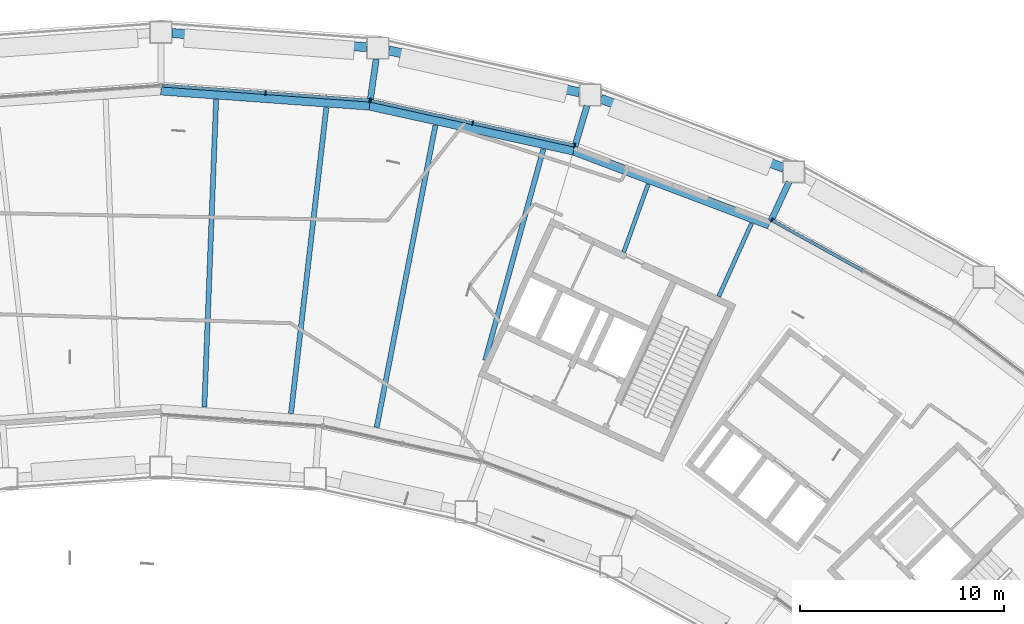
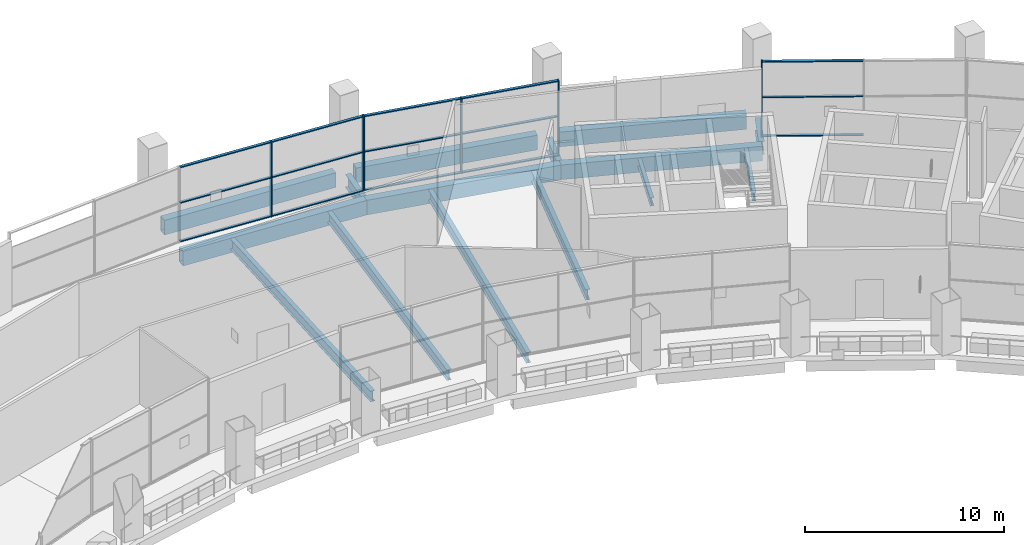
# One storey, part 11 of 28: 21 members, 15 beams, 3 elements without a shape of their own.
"""IFC4 building model written with IfcOpenShell, lengths in metres."""

from ifc_helpers import new_model, si_unit, direction, frame, origin, origin_2d, place, context, subcontext, project, spatial, rectangle, hollow_rectangle, i_section, extrude, material, layer, layer_set, material_profile, profile_set, type_object, element, aggregate, save


model = new_model("IFC4")

# Units and contexts
model_context = context("Model", 3, precision=1e-05, world=origin(), true_north=direction((0.0, 1.0)))
body_context = subcontext(model_context, "Body", "Model", "MODEL_VIEW")
ifc_project = project(units=[si_unit("LENGTHUNIT", "METRE"), si_unit("AREAUNIT", "SQUARE_METRE"), si_unit("VOLUMEUNIT", "CUBIC_METRE"), si_unit("PLANEANGLEUNIT", "RADIAN"), si_unit("MASSUNIT", "GRAM", prefix="KILO")], contexts=[model_context])

# Site, building, storey
site_placement = place(None, origin())
site = spatial("IfcSite", under=ifc_project, at=site_placement, CompositionType="ELEMENT")
building_placement = place(site_placement, origin())
building = spatial("IfcBuilding", under=site, at=building_placement, Name="Tuul Gate Civic Tower", CompositionType="ELEMENT")
storey_placement = place(building_placement, frame((0.0, 0.0, 128.699951171875)))
storey = spatial("IfcBuildingStorey", under=building, at=storey_placement, Name="Sky garden level 1", CompositionType="ELEMENT", Elevation=128.699951171875)

# Curtain wall, member
ifc_material_1 = material(Name="Aluminium", Category="aluminium")
ifc_layer = layer(ifc_material_1, 0.199951171875)
ifc_layer_set = layer_set([ifc_layer], Name="Aluminium")
curtain_wall_type = type_object("IfcCurtainWallType", Name="Curtain wall CW3", PredefinedType="NOTDEFINED", material=ifc_layer_set)
curtain_wall_1_placement = place(storey_placement, origin())
curtain_wall_1 = element("IfcCurtainWall", 1, at=curtain_wall_1_placement, inside=storey, type_object=curtain_wall_type, Name="Curtain wall CW3", PredefinedType="NOTDEFINED")
ifc_material_2 = material(Name="Aluminium", Category="aluminium")
ifc_material_profile_1 = material_profile(ifc_material_2, rectangle(XDim=0.219970703125, YDim=0.06005859375, at=origin_2d()), Name="CW3 mullion")
ifc_profile_set_1 = profile_set([ifc_material_profile_1], Name="Aluminium")
member_type_1 = type_object("IfcMemberType", Name="CW3 mullion", PredefinedType="MULLION", material=ifc_profile_set_1)
member_1_placement = place(storey_placement, frame((39.8232421875, 4.46044921875, 0.0), z_axis=(0.0, 0.0, 1.0), x_axis=(-0.484826682646, -0.874610249079, 0.0)))
member_1 = element("IfcMember", 2, at=member_1_placement, type_object=member_type_1, Name="Mullion", PredefinedType="MULLION", context=body_context, shape_type="SweptSolid", body=[
    extrude(rectangle(XDim=0.219970703125, YDim=0.06005859375, at=origin_2d()), origin(), (0.0, 0.0, 1.0), 4.60009765625),
])

# Curtain wall, members
curtain_wall_2_placement = place(storey_placement, origin())
curtain_wall_2 = element("IfcCurtainWall", 3, at=curtain_wall_2_placement, inside=storey, type_object=curtain_wall_type, Name="Curtain wall CW3", PredefinedType="NOTDEFINED")
member_2_placement = place(storey_placement, frame((30.1328125, 8.12451171875, 0.0), z_axis=(0.0, 0.0, 1.0), x_axis=(-0.215234025277, -0.976562498954, 0.0)))
member_2 = element("IfcMember", 4, at=member_2_placement, type_object=member_type_1, Name="Mullion", PredefinedType="MULLION", context=body_context, shape_type="SweptSolid", body=[
    extrude(rectangle(XDim=0.219970703125, YDim=0.06005859375, at=origin_2d()), origin(), (0.0, 0.0, 1.0), 4.60009765625),
])
member_3_placement = place(storey_placement, frame((25.132568359375, 9.2265625, 0.0), z_axis=(0.0, 0.0, 1.0), x_axis=(-0.215234025277, -0.976562498954, 0.0)))
member_3 = element("IfcMember", 5, at=member_3_placement, type_object=member_type_1, Name="Mullion", PredefinedType="MULLION", context=body_context, shape_type="SweptSolid", body=[
    extrude(rectangle(XDim=0.219970703125, YDim=0.06005859375, at=origin_2d()), origin(), (0.0, 0.0, 1.0), 4.60009765625),
])
member_4_placement = place(storey_placement, frame((20.13232421875, 10.32861328125, 0.0), z_axis=(0.0, 0.0, 1.0), x_axis=(-0.215234025277, -0.976562498954, 0.0)))
member_4 = element("IfcMember", 6, at=member_4_placement, type_object=member_type_1, Name="Mullion", PredefinedType="MULLION", context=body_context, shape_type="SweptSolid", body=[
    extrude(rectangle(XDim=0.219970703125, YDim=0.06005859375, at=origin_2d()), origin(), (0.0, 0.0, 1.0), 4.60009765625),
])

curtain_wall_3_placement = place(storey_placement, origin())
curtain_wall_3 = element("IfcCurtainWall", 7, at=curtain_wall_3_placement, inside=storey, type_object=curtain_wall_type, Name="Curtain wall CW3", PredefinedType="NOTDEFINED")
member_5_placement = place(storey_placement, frame((20.072998046875, 10.337158203125, 0.0), z_axis=(0.0, 0.0, 1.0), x_axis=(-0.072323245822, -0.997381245118, 0.0)))
member_5 = element("IfcMember", 8, at=member_5_placement, type_object=member_type_1, Name="Mullion", PredefinedType="MULLION", context=body_context, shape_type="SweptSolid", body=[
    extrude(rectangle(XDim=0.219970703125, YDim=0.06005859375, at=origin_2d()), origin(), (0.0, 0.0, 1.0), 4.60009765625),
])
member_6_placement = place(storey_placement, frame((14.966064453125, 10.70751953125, 0.0), z_axis=(0.0, 0.0, 1.0), x_axis=(-0.072323245822, -0.997381245118, 0.0)))
member_6 = element("IfcMember", 9, at=member_6_placement, type_object=member_type_1, Name="Mullion", PredefinedType="MULLION", context=body_context, shape_type="SweptSolid", body=[
    extrude(rectangle(XDim=0.219970703125, YDim=0.06005859375, at=origin_2d()), origin(), (0.0, 0.0, 1.0), 4.60009765625),
])

# Member
ifc_material_3 = material(Name="Aluminium", Category="aluminium")
ifc_material_profile_2 = material_profile(ifc_material_3, rectangle(XDim=0.159912109375, YDim=0.06005859375, at=origin_2d()), Name="CW3 transom")
ifc_profile_set_2 = profile_set([ifc_material_profile_2], Name="Aluminium")
member_type_2 = type_object("IfcMemberType", Name="CW3 transom", PredefinedType="USERDEFINED", material=ifc_profile_set_2)
member_7_placement = place(storey_placement, frame((44.275146484375, 1.992431640625, 0.030029296875), z_axis=(-0.874609774473, 0.484827538817, 0.0), x_axis=(-0.484827538817, -0.874609774473, 0.0)))
member_7 = element("IfcMember", 10, at=member_7_placement, type_object=member_type_2, Name="Transom", ObjectType="TRANSOM", PredefinedType="USERDEFINED", context=body_context, shape_type="SweptSolid", body=[
    extrude(rectangle(XDim=0.159912109375, YDim=0.06005859375, at=origin_2d()), origin(), (0.0, 0.0, 1.0), 5.060302734375),
])

member_8_placement = place(storey_placement, frame((44.275146484375, 1.992431640625, 2.400146484375), z_axis=(-0.874609774473, 0.484827538817, 0.0), x_axis=(-0.484827538817, -0.874609774473, 0.0)))
member_8 = element("IfcMember", 11, at=member_8_placement, type_object=member_type_2, Name="Transom", ObjectType="TRANSOM", PredefinedType="USERDEFINED", context=body_context, shape_type="SweptSolid", body=[
    extrude(rectangle(XDim=0.159912109375, YDim=0.06005859375, at=origin_2d()), origin(), (0.0, 0.0, 1.0), 5.060302734375),
])

member_9_placement = place(storey_placement, frame((44.275146484375, 1.992431640625, 4.570068359375), z_axis=(-0.874609774473, 0.484827538817, 0.0), x_axis=(-0.484827538817, -0.874609774473, 0.0)))
member_9 = element("IfcMember", 12, at=member_9_placement, type_object=member_type_2, Name="Transom", ObjectType="TRANSOM", PredefinedType="USERDEFINED", context=body_context, shape_type="SweptSolid", body=[
    extrude(rectangle(XDim=0.159912109375, YDim=0.06005859375, at=origin_2d()), origin(), (0.0, 0.0, 1.0), 5.060302734375),
])

aggregate(curtain_wall_1, [member_1, member_7, member_8, member_9])

member_10_placement = place(storey_placement, frame((30.103515625, 8.130859375, 0.030029296875), z_axis=(-0.97656360589, 0.21522900281, 0.0), x_axis=(-0.21522900281, -0.97656360589, 0.0)))
member_10 = element("IfcMember", 13, at=member_10_placement, type_object=member_type_2, Name="Transom", ObjectType="TRANSOM", PredefinedType="USERDEFINED", context=body_context, shape_type="SweptSolid", body=[
    extrude(rectangle(XDim=0.159912109375, YDim=0.06005859375, at=origin_2d()), origin(), (0.0, 0.0, 1.0), 5.060302734375),
])

member_11_placement = place(storey_placement, frame((30.103515625, 8.130859375, 2.400146484375), z_axis=(-0.97656360589, 0.21522900281, 0.0), x_axis=(-0.21522900281, -0.97656360589, 0.0)))
member_11 = element("IfcMember", 14, at=member_11_placement, type_object=member_type_2, Name="Transom", ObjectType="TRANSOM", PredefinedType="USERDEFINED", context=body_context, shape_type="SweptSolid", body=[
    extrude(rectangle(XDim=0.159912109375, YDim=0.06005859375, at=origin_2d()), origin(), (0.0, 0.0, 1.0), 5.060302734375),
])

member_12_placement = place(storey_placement, frame((30.103515625, 8.130859375, 4.570068359375), z_axis=(-0.97656360589, 0.21522900281, 0.0), x_axis=(-0.21522900281, -0.97656360589, 0.0)))
member_12 = element("IfcMember", 15, at=member_12_placement, type_object=member_type_2, Name="Transom", ObjectType="TRANSOM", PredefinedType="USERDEFINED", context=body_context, shape_type="SweptSolid", body=[
    extrude(rectangle(XDim=0.159912109375, YDim=0.06005859375, at=origin_2d()), origin(), (0.0, 0.0, 1.0), 5.060302734375),
])

member_13_placement = place(storey_placement, frame((25.103271484375, 9.23291015625, 0.030029296875), z_axis=(-0.97656360589, 0.21522900281, 0.0), x_axis=(-0.21522900281, -0.97656360589, 0.0)))
member_13 = element("IfcMember", 16, at=member_13_placement, type_object=member_type_2, Name="Transom", ObjectType="TRANSOM", PredefinedType="USERDEFINED", context=body_context, shape_type="SweptSolid", body=[
    extrude(rectangle(XDim=0.159912109375, YDim=0.06005859375, at=origin_2d()), origin(), (0.0, 0.0, 1.0), 5.060302734375),
])

member_14_placement = place(storey_placement, frame((25.103271484375, 9.23291015625, 2.400146484375), z_axis=(-0.97656360589, 0.21522900281, 0.0), x_axis=(-0.21522900281, -0.97656360589, 0.0)))
member_14 = element("IfcMember", 17, at=member_14_placement, type_object=member_type_2, Name="Transom", ObjectType="TRANSOM", PredefinedType="USERDEFINED", context=body_context, shape_type="SweptSolid", body=[
    extrude(rectangle(XDim=0.159912109375, YDim=0.06005859375, at=origin_2d()), origin(), (0.0, 0.0, 1.0), 5.060302734375),
])

member_15_placement = place(storey_placement, frame((25.103271484375, 9.23291015625, 4.570068359375), z_axis=(-0.97656360589, 0.21522900281, 0.0), x_axis=(-0.21522900281, -0.97656360589, 0.0)))
member_15 = element("IfcMember", 18, at=member_15_placement, type_object=member_type_2, Name="Transom", ObjectType="TRANSOM", PredefinedType="USERDEFINED", context=body_context, shape_type="SweptSolid", body=[
    extrude(rectangle(XDim=0.159912109375, YDim=0.06005859375, at=origin_2d()), origin(), (0.0, 0.0, 1.0), 5.060302734375),
])

aggregate(curtain_wall_2, [member_2, member_3, member_4, member_10, member_11, member_12, member_13, member_14, member_15])

member_16_placement = place(storey_placement, frame((20.043212890625, 10.33935546875, 0.030029296875), z_axis=(-0.997381720655, 0.072316687591, 0.0), x_axis=(-0.072316687591, -0.997381720655, 0.0)))
member_16 = element("IfcMember", 19, at=member_16_placement, type_object=member_type_2, Name="Transom", ObjectType="TRANSOM", PredefinedType="USERDEFINED", context=body_context, shape_type="SweptSolid", body=[
    extrude(rectangle(XDim=0.159912109375, YDim=0.06005859375, at=origin_2d()), origin(), (0.0, 0.0, 1.0), 5.060546875),
])

member_17_placement = place(storey_placement, frame((20.043212890625, 10.33935546875, 2.400146484375), z_axis=(-0.997381720655, 0.072316687591, 0.0), x_axis=(-0.072316687591, -0.997381720655, 0.0)))
member_17 = element("IfcMember", 20, at=member_17_placement, type_object=member_type_2, Name="Transom", ObjectType="TRANSOM", PredefinedType="USERDEFINED", context=body_context, shape_type="SweptSolid", body=[
    extrude(rectangle(XDim=0.159912109375, YDim=0.06005859375, at=origin_2d()), origin(), (0.0, 0.0, 1.0), 5.060546875),
])

member_18_placement = place(storey_placement, frame((20.043212890625, 10.33935546875, 4.570068359375), z_axis=(-0.997381720655, 0.072316687591, 0.0), x_axis=(-0.072316687591, -0.997381720655, 0.0)))
member_18 = element("IfcMember", 21, at=member_18_placement, type_object=member_type_2, Name="Transom", ObjectType="TRANSOM", PredefinedType="USERDEFINED", context=body_context, shape_type="SweptSolid", body=[
    extrude(rectangle(XDim=0.159912109375, YDim=0.06005859375, at=origin_2d()), origin(), (0.0, 0.0, 1.0), 5.060546875),
])

member_19_placement = place(storey_placement, frame((14.93603515625, 10.709716796875, 0.030029296875), z_axis=(-0.997381468338, 0.072320167418, 0.0), x_axis=(-0.072320167418, -0.997381468338, 0.0)))
member_19 = element("IfcMember", 22, at=member_19_placement, type_object=member_type_2, Name="Transom", ObjectType="TRANSOM", PredefinedType="USERDEFINED", context=body_context, shape_type="SweptSolid", body=[
    extrude(rectangle(XDim=0.159912109375, YDim=0.06005859375, at=origin_2d()), origin(), (0.0, 0.0, 1.0), 5.060302734375),
])

member_20_placement = place(storey_placement, frame((14.93603515625, 10.709716796875, 2.400146484375), z_axis=(-0.997381468338, 0.072320167418, 0.0), x_axis=(-0.072320167418, -0.997381468338, 0.0)))
member_20 = element("IfcMember", 23, at=member_20_placement, type_object=member_type_2, Name="Transom", ObjectType="TRANSOM", PredefinedType="USERDEFINED", context=body_context, shape_type="SweptSolid", body=[
    extrude(rectangle(XDim=0.159912109375, YDim=0.06005859375, at=origin_2d()), origin(), (0.0, 0.0, 1.0), 5.060302734375),
])

member_21_placement = place(storey_placement, frame((14.93603515625, 10.709716796875, 4.570068359375), z_axis=(-0.997381468338, 0.072320167418, 0.0), x_axis=(-0.072320167418, -0.997381468338, 0.0)))
member_21 = element("IfcMember", 24, at=member_21_placement, type_object=member_type_2, Name="Transom", ObjectType="TRANSOM", PredefinedType="USERDEFINED", context=body_context, shape_type="SweptSolid", body=[
    extrude(rectangle(XDim=0.159912109375, YDim=0.06005859375, at=origin_2d()), origin(), (0.0, 0.0, 1.0), 5.060302734375),
])

aggregate(curtain_wall_3, [member_5, member_6, member_16, member_17, member_18, member_19, member_20, member_21])

# Beams
ifc_material_4 = material(Name="Steel S355", Category="steel")
ifc_material_profile_3 = material_profile(ifc_material_4, i_section(OverallWidth=0.199951171875, OverallDepth=0.5, WebThickness=0.010009765625, FlangeThickness=0.01611328125, at=origin_2d()), Name="PG500x200x10x16")
ifc_profile_set_3 = profile_set([ifc_material_profile_3], Name="Steel S355")
beam_type_1 = type_object("IfcBeamType", Name="STR-FLOOR BEAM-PG500x200x10x16", PredefinedType="BEAM", material=ifc_profile_set_3)
beam_1_placement = place(storey_placement, frame((37.208251953125, 0.7138671875, -0.550048828125), z_axis=(0.409906067977, 0.912127740744, 0.0), x_axis=(-0.912127740744, 0.409906067977, 0.0)))
element("IfcBeam", 25, at=beam_1_placement, inside=storey, type_object=beam_type_1, Name="Floor beam", PredefinedType="BEAM", context=body_context, shape_type="SweptSolid", body=[
    extrude(i_section(OverallWidth=0.199951171875, OverallDepth=0.5, WebThickness=0.010009765625, FlangeThickness=0.01611328125, at=origin_2d()), origin(), (0.0, 0.0, 1.0), 3.9404296875),
])
beam_2_placement = place(storey_placement, frame((32.544921875, 2.88818359375, -0.550048828125), z_axis=(0.338709726959, 0.940890918685, 0.0), x_axis=(-0.940890918685, 0.338709726959, 0.0)))
element("IfcBeam", 26, at=beam_2_placement, inside=storey, type_object=beam_type_1, Name="Floor beam", PredefinedType="BEAM", context=body_context, shape_type="SweptSolid", body=[
    extrude(i_section(OverallWidth=0.199951171875, OverallDepth=0.5, WebThickness=0.010009765625, FlangeThickness=0.01611328125, at=origin_2d()), origin(), (0.0, 0.0, 1.0), 3.5498046875),
])
ifc_material_5 = material(Name="Steel S355", Category="steel")
ifc_material_profile_4 = material_profile(ifc_material_5, i_section(OverallWidth=0.25, OverallDepth=0.64990234375, WebThickness=0.011962890625, FlangeThickness=0.02001953125, at=origin_2d()), Name="PG650x250x12x20")
ifc_profile_set_4 = profile_set([ifc_material_profile_4], Name="Steel S355")
beam_type_2 = type_object("IfcBeamType", Name="STR-FLOOR BEAM-PG650x250x12x20", PredefinedType="BEAM", material=ifc_profile_set_4)
beam_3_placement = place(storey_placement, frame((25.74560546875, -2.423095703125, -0.625), z_axis=(0.265541440924, 0.964099446713, 0.0), x_axis=(-0.964099446713, 0.265541440924, 0.0)))
element("IfcBeam", 27, at=beam_3_placement, inside=storey, type_object=beam_type_2, Name="Floor beam", PredefinedType="BEAM", context=body_context, shape_type="SweptSolid", body=[
    extrude(i_section(OverallWidth=0.25, OverallDepth=0.64990234375, WebThickness=0.011962890625, FlangeThickness=0.02001953125, at=origin_2d()), origin(), (0.0, 0.0, 1.0), 10.759765625),
])
beam_4_placement = place(storey_placement, frame((20.422607421875, -5.709228515625, -0.625), z_axis=(0.190794813394, 0.98162994004, 0.0), x_axis=(-0.98162994004, 0.190794813394, 0.0)))
element("IfcBeam", 28, at=beam_4_placement, inside=storey, type_object=beam_type_2, Name="Floor beam", PredefinedType="BEAM", context=body_context, shape_type="SweptSolid", body=[
    extrude(i_section(OverallWidth=0.25, OverallDepth=0.64990234375, WebThickness=0.011962890625, FlangeThickness=0.02001953125, at=origin_2d()), origin(), (0.0, 0.0, 1.0), 15.1044921875),
])
beam_5_placement = place(storey_placement, frame((16.214111328125, -5.023681640625, -0.625), z_axis=(0.114917794702, 0.993375004951, 0.0), x_axis=(-0.993375004951, 0.114917794702, 0.0)))
element("IfcBeam", 29, at=beam_5_placement, inside=storey, type_object=beam_type_2, Name="Floor beam", PredefinedType="BEAM", context=body_context, shape_type="SweptSolid", body=[
    extrude(i_section(OverallWidth=0.25, OverallDepth=0.64990234375, WebThickness=0.011962890625, FlangeThickness=0.02001953125, at=origin_2d()), origin(), (0.0, 0.0, 1.0), 15.113525390625),
])
beam_6_placement = place(storey_placement, frame((11.960693359375, -4.715576171875, -0.625), z_axis=(0.038394025162, 0.999262677594, 0.0), x_axis=(-0.999262677594, 0.038394025162, 0.0)))
element("IfcBeam", 30, at=beam_6_placement, inside=storey, type_object=beam_type_2, Name="Floor beam", PredefinedType="BEAM", context=body_context, shape_type="SweptSolid", body=[
    extrude(i_section(OverallWidth=0.25, OverallDepth=0.64990234375, WebThickness=0.011962890625, FlangeThickness=0.02001953125, at=origin_2d()), origin(), (0.0, 0.0, 1.0), 15.108642578125),
])
ifc_material_6 = material(Name="Steel S355", Category="steel")
ifc_material_profile_5 = material_profile(ifc_material_6, i_section(OverallWidth=0.300048828125, OverallDepth=0.800048828125, WebThickness=0.013916015625, FlangeThickness=0.02490234375, at=origin_2d()), Name="PG800x300x14x25")
ifc_profile_set_5 = profile_set([ifc_material_profile_5], Name="Steel S355")
beam_type_3 = type_object("IfcBeamType", Name="STR-FLOOR BEAM-PG800x300x14x25", PredefinedType="BEAM", material=ifc_profile_set_5)
beam_7_placement = place(storey_placement, frame((40.661865234375, 6.341064453125, -0.699951171875), z_axis=(-0.420519145579, -0.907283664683, 0.0), x_axis=(0.907283664683, -0.420519145579, 0.0)))
element("IfcBeam", 31, at=beam_7_placement, inside=storey, type_object=beam_type_3, Name="Terrace beam", PredefinedType="BEAM", context=body_context, shape_type="SweptSolid", body=[
    extrude(i_section(OverallWidth=0.300048828125, OverallDepth=0.800048828125, WebThickness=0.013916015625, FlangeThickness=0.02490234375, at=origin_2d()), origin(), (0.0, 0.0, 1.0), 2.108154296875),
])
beam_8_placement = place(storey_placement, frame((30.748291015625, 10.08984375, -0.699951171875), z_axis=(-0.285050834726, -0.958512400348, 0.0), x_axis=(0.958512400348, -0.285050834726, 0.0)))
element("IfcBeam", 32, at=beam_8_placement, inside=storey, type_object=beam_type_3, Name="Terrace beam", PredefinedType="BEAM", context=body_context, shape_type="SweptSolid", body=[
    extrude(i_section(OverallWidth=0.300048828125, OverallDepth=0.800048828125, WebThickness=0.013916015625, FlangeThickness=0.02490234375, at=origin_2d()), origin(), (0.0, 0.0, 1.0), 2.10693359375),
])
beam_9_placement = place(storey_placement, frame((20.398681640625, 12.370849609375, -0.699951171875), z_axis=(-0.144096588185, -0.989563627703, 0.0), x_axis=(0.989563627703, -0.144096588185, 0.0)))
element("IfcBeam", 33, at=beam_9_placement, inside=storey, type_object=beam_type_3, Name="Terrace beam", PredefinedType="BEAM", context=body_context, shape_type="SweptSolid", body=[
    extrude(i_section(OverallWidth=0.300048828125, OverallDepth=0.800048828125, WebThickness=0.013916015625, FlangeThickness=0.02490234375, at=origin_2d()), origin(), (0.0, 0.0, 1.0), 2.107666015625),
])
ifc_material_7 = material(Name="Steel S355", Category="steel")
ifc_material_profile_6 = material_profile(ifc_material_7, hollow_rectangle(XDim=0.449951171875, YDim=0.89990234375, WallThickness=0.02490234375, at=origin_2d()), Name="BOX900x450x25")
ifc_profile_set_6 = profile_set([ifc_material_profile_6], Name="Steel S355")
beam_type_4 = type_object("IfcBeamType", Name="STR-SPANDREL BEAM-BOX900x450x25", PredefinedType="BEAM", material=ifc_profile_set_6)
beam_10_placement = place(storey_placement, frame((9.8291015625, 10.828857421875, -0.75), z_axis=(0.997385615966, -0.072262943915, 0.0), x_axis=(0.072262943915, 0.997385615966, 0.0)))
element("IfcBeam", 34, at=beam_10_placement, inside=storey, type_object=beam_type_4, Name="Spandrel beam", PredefinedType="BEAM", context=body_context, shape_type="SweptSolid", body=[
    extrude(hollow_rectangle(XDim=0.449951171875, YDim=0.89990234375, WallThickness=0.02490234375, at=origin_2d()), origin(), (0.0, 0.0, 1.0), 10.263916015625),
])
beam_11_placement = place(storey_placement, frame((20.066162109375, 10.087158203125, -0.75), z_axis=(0.976580539145, -0.215152156773, 0.0), x_axis=(0.215152156773, 0.976580539145, 0.0)))
element("IfcBeam", 35, at=beam_11_placement, inside=storey, type_object=beam_type_4, Name="Spandrel beam", PredefinedType="BEAM", context=body_context, shape_type="SweptSolid", body=[
    extrude(hollow_rectangle(XDim=0.449951171875, YDim=0.89990234375, WallThickness=0.02490234375, at=origin_2d()), origin(), (0.0, 0.0, 1.0), 10.264892578125),
])
beam_12_placement = place(storey_placement, frame((30.090576171875, 7.878662109375, -0.75), z_axis=(0.935323486722, -0.353793690146, 0.0), x_axis=(0.353793690146, 0.935323486722, 0.0)))
element("IfcBeam", 36, at=beam_12_placement, inside=storey, type_object=beam_type_4, Name="Spandrel beam", PredefinedType="BEAM", context=body_context, shape_type="SweptSolid", body=[
    extrude(hollow_rectangle(XDim=0.449951171875, YDim=0.89990234375, WallThickness=0.02490234375, at=origin_2d()), origin(), (0.0, 0.0, 1.0), 10.2646484375),
])
beam_13_placement = place(storey_placement, frame((40.378662109375, 7.034423828125, -0.75), z_axis=(-0.935356695064, 0.353705884879, 0.0), x_axis=(-0.353705884879, -0.935356695064, 0.0)))
element("IfcBeam", 37, at=beam_13_placement, inside=storey, type_object=beam_type_4, Name="Terrace edge beam", PredefinedType="BEAM", context=body_context, shape_type="SweptSolid", body=[
    extrude(hollow_rectangle(XDim=0.449951171875, YDim=0.89990234375, WallThickness=0.02490234375, at=origin_2d()), origin(), (0.0, 0.0, 1.0), 9.578369140625),
])
beam_14_placement = place(storey_placement, frame((30.367919921875, 10.7353515625, -0.75), z_axis=(-0.976564052188, 0.215226977802, 0.0), x_axis=(-0.215226977802, -0.976564052188, 0.0)))
element("IfcBeam", 38, at=beam_14_placement, inside=storey, type_object=beam_type_4, Name="Terrace edge beam", PredefinedType="BEAM", context=body_context, shape_type="SweptSolid", body=[
    extrude(hollow_rectangle(XDim=0.449951171875, YDim=0.89990234375, WallThickness=0.02490234375, at=origin_2d()), origin(), (0.0, 0.0, 1.0), 9.5771484375),
])
beam_15_placement = place(storey_placement, frame((19.929443359375, 12.954833984375, -0.75), z_axis=(-0.997390439125, 0.072196343002, 0.0), x_axis=(-0.072196343002, -0.997390439125, 0.0)))
element("IfcBeam", 39, at=beam_15_placement, inside=storey, type_object=beam_type_4, Name="Terrace edge beam", PredefinedType="BEAM", context=body_context, shape_type="SweptSolid", body=[
    extrude(hollow_rectangle(XDim=0.449951171875, YDim=0.89990234375, WallThickness=0.02490234375, at=origin_2d()), origin(), (0.0, 0.0, 1.0), 9.57666015625),
])

save(model, "model.ifc")
